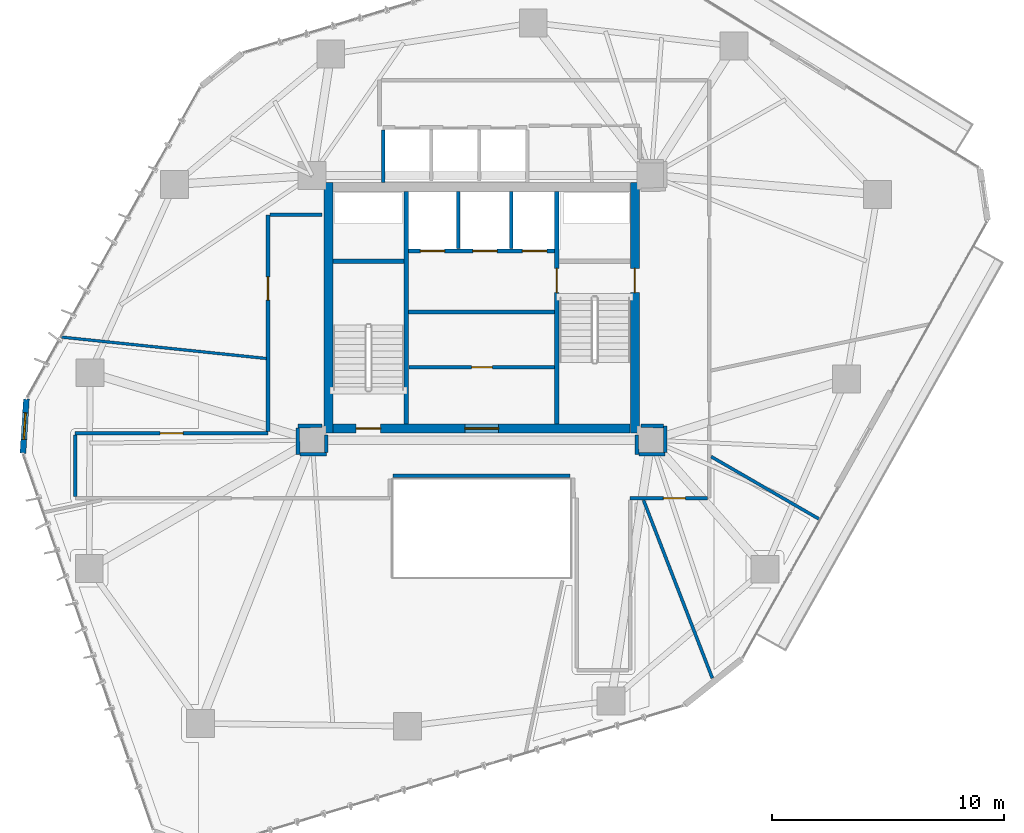
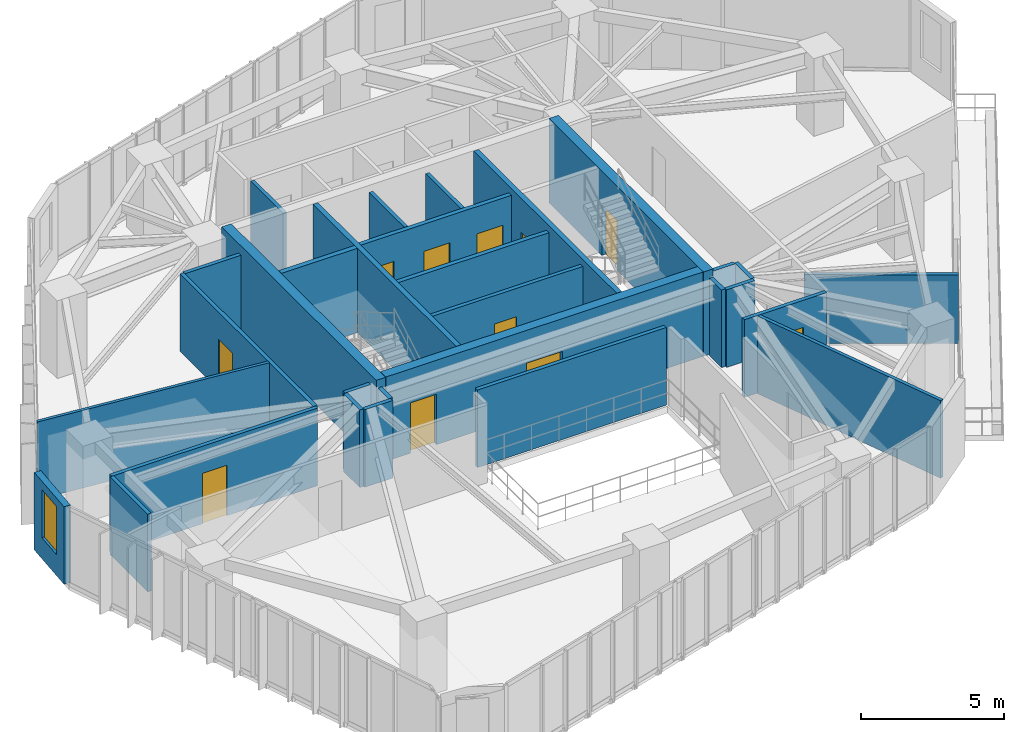
# One storey, part 16 of 21: 30 walls, 11 doors, 1 window, 12 openings.
"""IFC4 building model written with IfcOpenShell, lengths in metres."""

from ifc_helpers import new_model, si_unit, direction, frame, frame_2d, origin, place, context, subcontext, project, spatial, rectangle, extrude, source, transform, mapped, material, layer, layer_set, type_object, type_shapes, element, fill, save


model = new_model("IFC4")

# Units and contexts
model_context = context("Model", 3, precision=1e-05, world=origin(), true_north=direction((0.0, 1.0)))
body_context = subcontext(model_context, "Body", "Model", "MODEL_VIEW")
ifc_project = project(units=[si_unit("LENGTHUNIT", "METRE"), si_unit("AREAUNIT", "SQUARE_METRE"), si_unit("VOLUMEUNIT", "CUBIC_METRE"), si_unit("PLANEANGLEUNIT", "RADIAN"), si_unit("MASSUNIT", "GRAM", prefix="KILO")], contexts=[model_context])

# Site, building, storey
site_placement = place(None, origin())
site = spatial("IfcSite", under=ifc_project, at=site_placement, CompositionType="ELEMENT")
building_placement = place(site_placement, origin())
building = spatial("IfcBuilding", under=site, at=building_placement, Name="Talar Marvaseh", CompositionType="ELEMENT")
storey_placement = place(building_placement, frame((0.0, 0.0, 139.800048828125)))
storey = spatial("IfcBuildingStorey", under=building, at=storey_placement, Name="L36", CompositionType="ELEMENT", Elevation=139.800048828125)

# Wall, opening, window
ifc_material_1 = material(Name="Precast concrete C45/55", Category="concrete")
ifc_layer_1 = layer(ifc_material_1, 0.2548828125)
ifc_layer_set_1 = layer_set([ifc_layer_1], Name="Precast concrete C45/55")
wall_type_1 = type_object("IfcWallType", Name="Chamfered Hexagonal Corner Pier Wall Z2 255", PredefinedType="SOLIDWALL", material=ifc_layer_set_1)
wall_1_placement = place(storey_placement, frame((6.247802734375, 24.939208984375, 0.0), z_axis=(0.0, 0.0, 1.0), x_axis=(0.063306764323, 0.997994115008, 0.0)))
wall_1 = element("IfcWall", 1, at=wall_1_placement, inside=storey, type_object=wall_type_1, Name="L36 Chamfered Corner Limestone Pier 2", PredefinedType="SOLIDWALL", context=body_context, shape_type="SweptSolid", body=[
    extrude(rectangle(XDim=2.3408203125, YDim=0.2548828125, at=frame_2d((1.17041015625, 0.0))), origin(), (0.0, 0.0, 1.0), 3.31005859375),
])
opening_1_placement = place(wall_1_placement, frame((0.594970703125, 0.0, 0.89990234375)))
opening_1 = element("IfcOpeningElement", 2, at=opening_1_placement, cuts=wall_1, Name="Opening WN-CHM11", PredefinedType="OPENING", context=body_context, shape_type="SweptSolid", body=[
    extrude(rectangle(XDim=1.14990234375, YDim=2.050048828125, at=frame_2d((0.574951171875, 1.02490234375))), frame((0.0, 0.137451171875, 0.0), z_axis=(0.0, -1.0, 0.0), x_axis=(1.0, 0.0, 0.0)), (0.0, 0.0, 1.0), 0.27490234375),
])
ifc_material_2 = material(Name="Laminated Low-E Solar Glass", Category="glass")
window_type = type_object("IfcWindowType", Name="Zone 2 Chamfered Corner Slot Window 1150x2050", PartitioningType="SINGLE_PANEL", PredefinedType="WINDOW", material=ifc_material_2)
shared_shape_1 = source(origin(), body_context, "Body", "SweptSolid", [
    extrude(rectangle(XDim=1.14990234375, YDim=2.050048828125, at=frame_2d((0.574951171875, 1.02490234375))), frame((0.0, 0.030029296875, 0.0), z_axis=(0.0, -1.0, 0.0), x_axis=(1.0, 0.0, 0.0)), (0.0, 0.0, 1.0), 0.06005859375),
])
type_shapes(window_type, [shared_shape_1])
window_placement = place(opening_1_placement, origin())
window = element("IfcWindow", 3, at=window_placement, inside=storey, type_object=window_type, Name="L36 Chamfered Corner Slot Window", OverallHeight=2.050048828125, OverallWidth=1.14990234375, PartitioningType="SINGLE_PANEL", PredefinedType="WINDOW", context=body_context, shape_type="MappedRepresentation", body=[
    mapped(shared_shape_1, transform((0.0, 0.0, 0.0), x_axis=(1.0, 0.0, 0.0), y_axis=(0.0, 1.0, 0.0), z_axis=(0.0, 0.0, 1.0), scale=1.0)),
])
fill(opening_1, window)

# Wall, opening, door
ifc_material_3 = material(Name="Gypsum Board Partition Assembly")
ifc_layer_2 = layer(ifc_material_3, 0.155029296875)
ifc_layer_set_2 = layer_set([ifc_layer_2], Name="Gypsum Board Partition Assembly")
wall_type_2 = type_object("IfcWallType", Name="Corridor Fire-Rated Acoustic Partition 155", PredefinedType="PARTITIONING", material=ifc_layer_set_2)
wall_2_placement = place(storey_placement, frame((22.865966796875, 28.639892578125, 0.0), z_axis=(0.0, 0.0, 1.0), x_axis=(1.0, 0.0, 0.0)))
wall_2 = element("IfcWall", 4, at=wall_2_placement, inside=storey, type_object=wall_type_2, Name="L36 Core BOH Partition", PredefinedType="PARTITIONING", context=body_context, shape_type="SweptSolid", body=[
    extrude(rectangle(XDim=6.26806640625, YDim=0.155029296875, at=frame_2d((3.134033203125, 0.0))), origin(), (0.0, 0.0, 1.0), 3.31005859375),
])
opening_2_placement = place(wall_2_placement, frame((2.699951171875, 0.0, 0.0)))
opening_2 = element("IfcOpeningElement", 5, at=opening_2_placement, cuts=wall_2, Name="Opening DR-BOH090", PredefinedType="OPENING", context=body_context, shape_type="SweptSolid", body=[
    extrude(rectangle(XDim=0.89990234375, YDim=2.10009765625, at=frame_2d((0.449951171875, 1.050048828125))), frame((0.0, 0.08740234375, 0.0), z_axis=(0.0, -1.0, 0.0), x_axis=(1.0, 0.0, 0.0)), (0.0, 0.0, 1.0), 0.175048828125),
])
ifc_material_4 = material(Name="Fire-Rated Steel Door Leaf", Category="steel")
door_type_1 = type_object("IfcDoorType", Name="Core Back-of-House Service Door 900x2100", OperationType="NOTDEFINED", PredefinedType="DOOR", material=ifc_material_4)
shared_shape_2 = source(origin(), body_context, "Body", "SweptSolid", [
    extrude(rectangle(XDim=0.89990234375, YDim=2.10009765625, at=frame_2d((0.449951171875, 1.050048828125))), frame((0.0, 0.02490234375, 0.0), z_axis=(0.0, -1.0, 0.0), x_axis=(1.0, 0.0, 0.0)), (0.0, 0.0, 1.0), 0.050048828125),
])
type_shapes(door_type_1, [shared_shape_2])
door_1_placement = place(opening_2_placement, origin())
door_1 = element("IfcDoor", 6, at=door_1_placement, inside=storey, type_object=door_type_1, Name="L36 Store Core Central Archive Door", OperationType="SINGLE_SWING_LEFT", OverallHeight=2.10009765625, OverallWidth=0.89990234375, PredefinedType="DOOR", context=body_context, shape_type="MappedRepresentation", body=[
    mapped(shared_shape_2, transform((0.0, 0.0, 0.0), x_axis=(1.0, 0.0, 0.0), y_axis=(0.0, 1.0, 0.0), z_axis=(0.0, 0.0, 1.0), scale=1.0)),
])
fill(opening_2, door_1)

wall_3_placement = place(storey_placement, frame((8.5, 25.800048828125, 0.0), z_axis=(0.0, 0.0, 1.0), x_axis=(1.0, 0.0, 0.0)))
wall_3 = element("IfcWall", 7, at=wall_3_placement, inside=storey, type_object=wall_type_2, Name="L36 Interior Partition Wall", PredefinedType="PARTITIONING", context=body_context, shape_type="SweptSolid", body=[
    extrude(rectangle(XDim=8.300048828125, YDim=0.155029296875, at=frame_2d((4.14990234375, 0.0))), origin(), (0.0, 0.0, 1.0), 3.31005859375),
])
opening_3_placement = place(wall_3_placement, frame((3.64990234375, 0.0, 0.0)))
opening_3 = element("IfcOpeningElement", 8, at=opening_3_placement, cuts=wall_3, Name="Opening DR-RM100", PredefinedType="OPENING", context=body_context, shape_type="SweptSolid", body=[
    extrude(rectangle(XDim=1.0, YDim=2.14990234375, at=frame_2d((0.5, 1.074951171875))), frame((0.0, 0.08740234375, 0.0), z_axis=(0.0, -1.0, 0.0), x_axis=(1.0, 0.0, 0.0)), (0.0, 0.0, 1.0), 0.175048828125),
])
ifc_material_5 = material(Name="Acoustic Engineered Oak Timber", Category="wood")
door_type_2 = type_object("IfcDoorType", Name="Corridor Fire-Rated Gallery Door 1000x2150", OperationType="NOTDEFINED", PredefinedType="DOOR", material=ifc_material_5)
shared_shape_3 = source(origin(), body_context, "Body", "SweptSolid", [
    extrude(rectangle(XDim=1.0, YDim=2.14990234375, at=frame_2d((0.5, 1.074951171875))), frame((0.0, 0.02490234375, 0.0), z_axis=(0.0, -1.0, 0.0), x_axis=(1.0, 0.0, 0.0)), (0.0, 0.0, 1.0), 0.050048828125),
])
type_shapes(door_type_2, [shared_shape_3])
door_2_placement = place(opening_3_placement, origin())
door_2 = element("IfcDoor", 9, at=door_2_placement, inside=storey, type_object=door_type_2, Name="L36 Curatorial Office Door", OperationType="SINGLE_SWING_LEFT", OverallHeight=2.14990234375, OverallWidth=1.0, PredefinedType="DOOR", context=body_context, shape_type="MappedRepresentation", body=[
    mapped(shared_shape_3, transform((0.0, 0.0, 0.0), x_axis=(1.0, 0.0, 0.0), y_axis=(0.0, 1.0, 0.0), z_axis=(0.0, 0.0, 1.0), scale=1.0)),
])
fill(opening_3, door_2)

wall_4_placement = place(storey_placement, frame((16.800048828125, 25.883544921875, 0.0), z_axis=(0.0, 0.0, 1.0), x_axis=(0.0, 1.0, 0.0)))
wall_4 = element("IfcWall", 10, at=wall_4_placement, inside=storey, type_object=wall_type_2, Name="L36 Interior Partition Wall", PredefinedType="PARTITIONING", context=body_context, shape_type="SweptSolid", body=[
    extrude(rectangle(XDim=9.31640625, YDim=0.155029296875, at=frame_2d((4.658203125, 0.0))), origin(), (0.0, 0.0, 1.0), 3.31005859375),
])
opening_4_placement = place(wall_4_placement, frame((5.649169921875, 0.0, 0.0)))
opening_4 = element("IfcOpeningElement", 11, at=opening_4_placement, cuts=wall_4, Name="Opening DR-RM100", PredefinedType="OPENING", context=body_context, shape_type="SweptSolid", body=[
    extrude(rectangle(XDim=1.0, YDim=2.14990234375, at=frame_2d((0.5, 1.074951171875))), frame((0.0, 0.08740234375, 0.0), z_axis=(0.0, -1.0, 0.0), x_axis=(1.0, 0.0, 0.0)), (0.0, 0.0, 1.0), 0.175048828125),
])
door_3_placement = place(opening_4_placement, origin())
door_3 = element("IfcDoor", 12, at=door_3_placement, inside=storey, type_object=door_type_2, Name="L36 Conservation Laboratory Door", OperationType="SINGLE_SWING_LEFT", OverallHeight=2.14990234375, OverallWidth=1.0, PredefinedType="DOOR", context=body_context, shape_type="MappedRepresentation", body=[
    mapped(shared_shape_3, transform((0.0, 0.0, 0.0), x_axis=(1.0, 0.0, 0.0), y_axis=(0.0, 1.0, 0.0), z_axis=(0.0, 0.0, 1.0), scale=1.0)),
])
fill(opening_4, door_3)

wall_5_placement = place(storey_placement, frame((35.716552734375, 23.0, 0.0), z_axis=(0.0, 0.0, 1.0), x_axis=(-1.0, 0.0, 0.0)))
wall_5 = element("IfcWall", 13, at=wall_5_placement, inside=storey, type_object=wall_type_2, Name="L36 Interior Partition Wall", PredefinedType="PARTITIONING", context=body_context, shape_type="SweptSolid", body=[
    extrude(rectangle(XDim=3.316650390625, YDim=0.155029296875, at=frame_2d((1.658203125, 0.0))), origin(), (0.0, 0.0, 1.0), 3.31005859375),
])
opening_5_placement = place(wall_5_placement, frame((0.9404296875, 0.0, 0.0)))
opening_5 = element("IfcOpeningElement", 14, at=opening_5_placement, cuts=wall_5, Name="Opening DR-WC095", PredefinedType="OPENING", context=body_context, shape_type="SweptSolid", body=[
    extrude(rectangle(XDim=0.949951171875, YDim=2.14990234375, at=frame_2d((0.47509765625, 1.074951171875))), frame((0.0, 0.08740234375, 0.0), z_axis=(0.0, -1.0, 0.0), x_axis=(1.0, 0.0, 0.0)), (0.0, 0.0, 1.0), 0.175048828125),
])
door_type_3 = type_object("IfcDoorType", Name="Washroom and Service Room Door 950x2150", OperationType="NOTDEFINED", PredefinedType="DOOR", material=ifc_material_5)
shared_shape_4 = source(origin(), body_context, "Body", "SweptSolid", [
    extrude(rectangle(XDim=0.949951171875, YDim=2.14990234375, at=frame_2d((0.47509765625, 1.074951171875))), frame((0.0, 0.02490234375, 0.0), z_axis=(0.0, -1.0, 0.0), x_axis=(1.0, 0.0, 0.0)), (0.0, 0.0, 1.0), 0.050048828125),
])
type_shapes(door_type_3, [shared_shape_4])
door_4_placement = place(opening_5_placement, origin())
door_4 = element("IfcDoor", 15, at=door_4_placement, inside=storey, type_object=door_type_3, Name="L36 Collection Conservation Store Door", OperationType="SINGLE_SWING_RIGHT", OverallHeight=2.14990234375, OverallWidth=0.949951171875, PredefinedType="DOOR", context=body_context, shape_type="MappedRepresentation", body=[
    mapped(shared_shape_4, transform((0.0, 0.0, 0.0), x_axis=(1.0, 0.0, 0.0), y_axis=(0.0, 1.0, 0.0), z_axis=(0.0, 0.0, 1.0), scale=1.0)),
])
fill(opening_5, door_4)

# Walls
wall_6_placement = place(storey_placement, frame((29.800048828125, 23.9599609375, 0.0), z_axis=(0.0, 0.0, 1.0), x_axis=(-0.999999995375, -9.617234e-05, 0.0)))
element("IfcWall", 16, at=wall_6_placement, inside=storey, type_object=wall_type_2, Name="L36 Interior Partition Wall", PredefinedType="PARTITIONING", context=body_context, shape_type="SweptSolid", body=[
    extrude(rectangle(XDim=7.61572265625, YDim=0.155029296875, at=frame_2d((3.807861328125, 0.0))), origin(), (0.0, 0.0, 1.0), 3.31005859375),
])
wall_7_placement = place(storey_placement, frame((8.5, 23.08349609375, 0.0), z_axis=(0.0, 0.0, 1.0), x_axis=(0.0, 1.0, 0.0)))
element("IfcWall", 17, at=wall_7_placement, inside=storey, type_object=wall_type_2, Name="L36 Interior Partition Wall", PredefinedType="PARTITIONING", context=body_context, shape_type="SweptSolid", body=[
    extrude(rectangle(XDim=2.633056640625, YDim=0.155029296875, at=frame_2d((1.31640625, 0.0))), origin(), (0.0, 0.0, 1.0), 3.31005859375),
])
wall_8_placement = place(storey_placement, frame((16.883544921875, 35.199951171875, 0.0), z_axis=(0.0, 0.0, 1.0), x_axis=(1.0, 0.0, 0.0)))
element("IfcWall", 18, at=wall_8_placement, inside=storey, type_object=wall_type_2, Name="L36 Interior Partition Wall", PredefinedType="PARTITIONING", context=body_context, shape_type="SweptSolid", body=[
    extrude(rectangle(XDim=2.246337890625, YDim=0.155029296875, at=frame_2d((1.123046875, 0.0))), origin(), (0.0, 0.0, 1.0), 3.31005859375),
])
wall_9_placement = place(storey_placement, frame((19.1298828125, 26.114990234375, 0.0), z_axis=(0.0, 0.0, 1.0), x_axis=(-0.999986702653, -0.005156987215, 0.0)))
element("IfcWall", 19, at=wall_9_placement, inside=storey, type_object=wall_type_2, Name="L36 Interior Partition Wall", PredefinedType="PARTITIONING", context=body_context, shape_type="SweptSolid", body=[
    extrude(rectangle(XDim=1.04150390625, YDim=0.155029296875, at=frame_2d((0.520751953125, 0.0))), origin(), (0.0, 0.0, 1.0), 3.31005859375),
])
wall_10_placement = place(storey_placement, frame((18.088623046875, 26.02587890625, 0.0), z_axis=(0.0, 0.0, 1.0), x_axis=(0.002787893948, -0.999996113816, 0.0)))
element("IfcWall", 20, at=wall_10_placement, inside=storey, type_object=wall_type_2, Name="L36 Interior Partition Wall", PredefinedType="PARTITIONING", context=body_context, shape_type="SweptSolid", body=[
    extrude(rectangle(XDim=1.138427734375, YDim=0.155029296875, at=frame_2d((0.5693359375, 0.0))), origin(), (0.0, 0.0, 1.0), 3.31005859375),
])
wall_11_placement = place(storey_placement, frame((18.17529296875, 24.8876953125, 0.0), z_axis=(0.0, 0.0, 1.0), x_axis=(0.999999791525, 0.000645716611, 0.0)))
element("IfcWall", 21, at=wall_11_placement, inside=storey, type_object=wall_type_2, Name="L36 Interior Partition Wall", PredefinedType="PARTITIONING", context=body_context, shape_type="SweptSolid", body=[
    extrude(rectangle(XDim=1.13427734375, YDim=0.155029296875, at=frame_2d((0.567138671875, 0.0))), origin(), (0.0, 0.0, 1.0), 3.31005859375),
])
wall_12_placement = place(storey_placement, frame((19.31005859375, 24.971923828125, 0.0), z_axis=(0.0, 0.0, 1.0), x_axis=(0.006441090216, 0.999979255963, 0.0)))
element("IfcWall", 22, at=wall_12_placement, inside=storey, type_object=wall_type_2, Name="L36 Interior Partition Wall", PredefinedType="PARTITIONING", context=body_context, shape_type="SweptSolid", body=[
    extrude(rectangle(XDim=0.758056640625, YDim=0.155029296875, at=frame_2d((0.37890625, 0.0))), origin(), (0.0, 0.0, 1.0), 3.31005859375),
])
wall_13_placement = place(storey_placement, frame((32.68505859375, 25.72998046875, 0.0), z_axis=(0.0, 0.0, 1.0), x_axis=(0.006382231486, -0.999979633353, 0.0)))
element("IfcWall", 23, at=wall_13_placement, inside=storey, type_object=wall_type_2, Name="L36 Interior Partition Wall", PredefinedType="PARTITIONING", context=body_context, shape_type="SweptSolid", body=[
    extrude(rectangle(XDim=0.841552734375, YDim=0.155029296875, at=frame_2d((0.4208984375, 0.0))), origin(), (0.0, 0.0, 1.0), 3.31005859375),
])
wall_14_placement = place(storey_placement, frame((32.77392578125, 24.88818359375, 0.0), z_axis=(0.0, 0.0, 1.0), x_axis=(0.999999164303, -0.001292823742, 0.0)))
element("IfcWall", 24, at=wall_14_placement, inside=storey, type_object=wall_type_2, Name="L36 Interior Partition Wall", PredefinedType="PARTITIONING", context=body_context, shape_type="SweptSolid", body=[
    extrude(rectangle(XDim=1.133056640625, YDim=0.155029296875, at=frame_2d((0.56640625, 0.0))), origin(), (0.0, 0.0, 1.0), 3.31005859375),
])
wall_15_placement = place(storey_placement, frame((33.907470703125, 24.97021484375, 0.0), z_axis=(0.0, 0.0, 1.0), x_axis=(0.003642572792, 0.99999336581, 0.0)))
element("IfcWall", 25, at=wall_15_placement, inside=storey, type_object=wall_type_2, Name="L36 Interior Partition Wall", PredefinedType="PARTITIONING", context=body_context, shape_type="SweptSolid", body=[
    extrude(rectangle(XDim=1.139404296875, YDim=0.155029296875, at=frame_2d((0.56982421875, 0.0))), origin(), (0.0, 0.0, 1.0), 3.31005859375),
])
wall_16_placement = place(storey_placement, frame((33.828125, 26.110107421875, 0.0), z_axis=(0.0, 0.0, 1.0), x_axis=(-0.999987011364, 0.005096773758, 0.0)))
element("IfcWall", 26, at=wall_16_placement, inside=storey, type_object=wall_type_2, Name="L36 Interior Partition Wall", PredefinedType="PARTITIONING", context=body_context, shape_type="SweptSolid", body=[
    extrude(rectangle(XDim=0.9580078125, YDim=0.155029296875, at=frame_2d((0.47900390625, 0.0))), origin(), (0.0, 0.0, 1.0), 3.31005859375),
])
ifc_layer_3 = layer(ifc_material_3, 0.1201171875)
ifc_layer_set_3 = layer_set([ifc_layer_3], Name="Gypsum Board Partition Assembly")
wall_type_3 = type_object("IfcWallType", Name="Demountable Studio Room Partition 120", PredefinedType="PARTITIONING", material=ifc_layer_set_3)
wall_17_placement = place(storey_placement, frame((7.9033203125, 29.939453125, 0.0), z_axis=(0.0, 0.0, 1.0), x_axis=(0.994588146668, -0.103896191018, 0.0)))
element("IfcWall", 27, at=wall_17_placement, inside=storey, type_object=wall_type_3, Name="L36 Interior Partition Wall", PredefinedType="PARTITIONING", context=body_context, shape_type="SweptSolid", body=[
    extrude(rectangle(XDim=8.880126953125, YDim=0.1201171875, at=frame_2d((4.43994140625, 0.0))), origin(), (0.0, 0.0, 1.0), 3.31005859375),
])
ifc_layer_4 = layer(ifc_material_1, 0.14501953125)
ifc_layer_set_4 = layer_set([ifc_layer_4], Name="Precast concrete C45/55")
wall_type_4 = type_object("IfcWallType", Name="Fire-Rated Lift Divider Wall 145", PredefinedType="SOLIDWALL", material=ifc_layer_set_4)
for number, where, z_axis, x_axis, name in (
    (28, (25.0, 33.743408203125, 0.0), (0.0, 0.0, 1.0), (0.0, 1.0, 0.0), "L36 FFL-1/FFL-2 Divider"),
    (29, (27.280029296875, 33.743408203125, 0.0), (0.0, 0.0, 1.0), (0.0, 1.0, 0.0), "L36 FFL-2/SVL-1 Divider"),
):
    element("IfcWall", number, at=place(storey_placement, frame(where, z_axis=z_axis, x_axis=x_axis)), inside=storey, type_object=wall_type_4, Name=name, PredefinedType="SOLIDWALL", context=body_context, shape_type="SweptSolid", body=[
        extrude(rectangle(XDim=2.45654296875, YDim=0.14501953125, at=frame_2d((1.228271484375, 0.0))), origin(), (0.0, 0.0, 1.0), 3.31005859375),
    ])
wall_18_placement = place(storey_placement, frame((21.760009765625, 36.60009765625, 0.0), z_axis=(0.0, 0.0, 1.0), x_axis=(0.0, 1.0, 0.0)))
element("IfcWall", 30, at=wall_18_placement, inside=storey, type_object=wall_type_4, Name="L36 Low-Rise Bank West Wall", PredefinedType="SOLIDWALL", context=body_context, shape_type="SweptSolid", body=[
    extrude(rectangle(XDim=2.266357421875, YDim=0.14501953125, at=frame_2d((1.13330078125, 0.0))), origin(), (0.0, 0.0, 1.0), 3.31005859375),
])

# Wall, openings, doors
ifc_layer_5 = layer(ifc_material_1, 0.175048828125)
ifc_layer_set_5 = layer_set([ifc_layer_5], Name="Precast concrete C45/55")
wall_type_5 = type_object("IfcWallType", Name="Fire-Rated Lift Hoistway Enclosure Wall 175", PredefinedType="SOLIDWALL", material=ifc_layer_set_5)
wall_19_placement = place(storey_placement, frame((22.860107421875, 33.64990234375, 0.0), z_axis=(0.0, 0.0, 1.0), x_axis=(1.0, 0.0, 0.0)))
wall_19 = element("IfcWall", 31, at=wall_19_placement, inside=storey, type_object=wall_type_5, Name="L36 Firefighting and Service Lift Front Wall", PredefinedType="SOLIDWALL", context=body_context, shape_type="SweptSolid", body=[
    extrude(rectangle(XDim=6.27978515625, YDim=0.175048828125, at=frame_2d((3.139892578125, 0.0))), origin(), (0.0, 0.0, 1.0), 3.31005859375),
])
opening_6_placement = place(wall_19_placement, frame((0.5, 0.0, 0.0)))
opening_6 = element("IfcOpeningElement", 32, at=opening_6_placement, cuts=wall_19, Name="Opening LD-FF1", PredefinedType="OPENING", context=body_context, shape_type="SweptSolid", body=[
    extrude(rectangle(XDim=1.050048828125, YDim=2.14990234375, at=frame_2d((0.52490234375, 1.074951171875))), frame((0.0, 0.09765625, 0.0), z_axis=(0.0, -1.0, 0.0), x_axis=(1.0, 0.0, 0.0)), (0.0, 0.0, 1.0), 0.195068359375),
])
opening_7_placement = place(wall_19_placement, frame((2.760009765625, 0.0, 0.0)))
opening_7 = element("IfcOpeningElement", 33, at=opening_7_placement, cuts=wall_19, Name="Opening LD-FF2", PredefinedType="OPENING", context=body_context, shape_type="SweptSolid", body=[
    extrude(rectangle(XDim=1.050048828125, YDim=2.14990234375, at=frame_2d((0.52490234375, 1.074951171875))), frame((0.0, 0.09765625, 0.0), z_axis=(0.0, -1.0, 0.0), x_axis=(1.0, 0.0, 0.0)), (0.0, 0.0, 1.0), 0.195068359375),
])
opening_8_placement = place(wall_19_placement, frame((4.89990234375, 0.0, 0.0)))
opening_8 = element("IfcOpeningElement", 34, at=opening_8_placement, cuts=wall_19, Name="Opening LD-SV1", PredefinedType="OPENING", context=body_context, shape_type="SweptSolid", body=[
    extrude(rectangle(XDim=1.050048828125, YDim=2.14990234375, at=frame_2d((0.52490234375, 1.074951171875))), frame((0.0, 0.09765625, 0.0), z_axis=(0.0, -1.0, 0.0), x_axis=(1.0, 0.0, 0.0)), (0.0, 0.0, 1.0), 0.195068359375),
])
ifc_material_6 = material(Name="Stainless Steel Grade 316", Category="steel")
door_type_4 = type_object("IfcDoorType", Name="Automatic Sliding Lift Landing Door 1050x2150", OperationType="NOTDEFINED", PredefinedType="DOOR", material=ifc_material_6)
shared_shape_5 = source(origin(), body_context, "Body", "SweptSolid", [
    extrude(rectangle(XDim=1.050048828125, YDim=2.14990234375, at=frame_2d((0.52490234375, 1.074951171875))), frame((0.0, 0.02490234375, 0.0), z_axis=(0.0, -1.0, 0.0), x_axis=(1.0, 0.0, 0.0)), (0.0, 0.0, 1.0), 0.050048828125),
])
type_shapes(door_type_4, [shared_shape_5])
door_5_placement = place(opening_6_placement, origin())
door_5 = element("IfcDoor", 35, at=door_5_placement, inside=storey, type_object=door_type_4, Name="L36 Lift FFL-1 Sliding Landing Door", OperationType="SLIDING_TO_LEFT", OverallHeight=2.14990234375, OverallWidth=1.050048828125, PredefinedType="DOOR", context=body_context, shape_type="MappedRepresentation", body=[
    mapped(shared_shape_5, transform((0.0, 0.0, 0.0), x_axis=(1.0, 0.0, 0.0), y_axis=(0.0, 1.0, 0.0), z_axis=(0.0, 0.0, 1.0), scale=1.0)),
])
fill(opening_6, door_5)
door_6_placement = place(opening_7_placement, origin())
door_6 = element("IfcDoor", 36, at=door_6_placement, inside=storey, type_object=door_type_4, Name="L36 Lift FFL-2 Sliding Landing Door", OperationType="SLIDING_TO_LEFT", OverallHeight=2.14990234375, OverallWidth=1.050048828125, PredefinedType="DOOR", context=body_context, shape_type="MappedRepresentation", body=[
    mapped(shared_shape_5, transform((0.0, 0.0, 0.0), x_axis=(1.0, 0.0, 0.0), y_axis=(0.0, 1.0, 0.0), z_axis=(0.0, 0.0, 1.0), scale=1.0)),
])
fill(opening_7, door_6)
door_7_placement = place(opening_8_placement, origin())
door_7 = element("IfcDoor", 37, at=door_7_placement, inside=storey, type_object=door_type_4, Name="L36 Lift SVL-1 Sliding Landing Door", OperationType="SLIDING_TO_LEFT", OverallHeight=2.14990234375, OverallWidth=1.050048828125, PredefinedType="DOOR", context=body_context, shape_type="MappedRepresentation", body=[
    mapped(shared_shape_5, transform((0.0, 0.0, 0.0), x_axis=(1.0, 0.0, 0.0), y_axis=(0.0, 1.0, 0.0), z_axis=(0.0, 0.0, 1.0), scale=1.0)),
])
fill(opening_8, door_7)

# Walls
wall_20_placement = place(storey_placement, frame((22.860107421875, 31.02001953125, 0.0), z_axis=(0.0, 0.0, 1.0), x_axis=(1.0, 0.0, 0.0)))
element("IfcWall", 38, at=wall_20_placement, inside=storey, type_object=wall_type_5, Name="L36 Firefighting Lobby South Smoke Wall", PredefinedType="SOLIDWALL", context=body_context, shape_type="SweptSolid", body=[
    extrude(rectangle(XDim=6.27978515625, YDim=0.175048828125, at=frame_2d((3.139892578125, 0.0))), origin(), (0.0, 0.0, 1.0), 3.31005859375),
])
ifc_layer_6 = layer(ifc_material_3, 0.135009765625)
ifc_layer_set_6 = layer_set([ifc_layer_6], Name="Gypsum Board Partition Assembly")
wall_type_6 = type_object("IfcWallType", Name="Gallery High-Acoustic Partition 135", PredefinedType="PARTITIONING", material=ifc_layer_set_6)
wall_21_placement = place(storey_placement, frame((32.972412109375, 22.91650390625, 0.0), z_axis=(0.0, 0.0, 1.0), x_axis=(0.360519734674, -0.932751585853, 0.0)))
element("IfcWall", 39, at=wall_21_placement, inside=storey, type_object=wall_type_6, Name="L36 Interior Partition Wall", PredefinedType="PARTITIONING", context=body_context, shape_type="SweptSolid", body=[
    extrude(rectangle(XDim=8.21630859375, YDim=0.135009765625, at=frame_2d((4.108154296875, 0.0))), origin(), (0.0, 0.0, 1.0), 3.31005859375),
])
wall_22_placement = place(storey_placement, frame((35.883544921875, 24.791748046875, 0.0), z_axis=(0.0, 0.0, 1.0), x_axis=(0.865681218775, -0.500595672635, 0.0)))
element("IfcWall", 40, at=wall_22_placement, inside=storey, type_object=wall_type_6, Name="L36 Interior Partition Wall", PredefinedType="PARTITIONING", context=body_context, shape_type="SweptSolid", body=[
    extrude(rectangle(XDim=5.39599609375, YDim=0.135009765625, at=frame_2d((2.697998046875, 0.0))), origin(), (0.0, 0.0, 1.0), 2.927001953125),
])
ifc_material_7 = material(Name="Concrete C60/75", Category="concrete")
ifc_layer_7 = layer(ifc_material_7, 0.3798828125)
ifc_layer_set_7 = layer_set([ifc_layer_7], Name="Concrete C60/75")
wall_type_7 = type_object("IfcWallType", Name="Mid Core Reinforced Concrete Shear Wall 380", PredefinedType="SHEAR", material=ifc_layer_set_7)
wall_23_placement = place(storey_placement, frame((19.39990234375, 25.800048828125, 0.0), z_axis=(0.0, 0.0, 1.0), x_axis=(0.0, 1.0, 0.0)))
element("IfcWall", 41, at=wall_23_placement, inside=storey, type_object=wall_type_7, Name="L36 West Core Shear Wall", PredefinedType="SHEAR", context=body_context, shape_type="SweptSolid", body=[
    extrude(rectangle(XDim=10.800048828125, YDim=0.3798828125, at=frame_2d((5.39990234375, 0.0))), origin(), (0.0, 0.0, 1.0), 3.599853515625),
])

# Wall, opening, door
wall_24_placement = place(storey_placement, frame((32.60009765625, 36.60009765625, 0.0), z_axis=(0.0, 0.0, 1.0), x_axis=(0.0, -1.0, 0.0)))
wall_24 = element("IfcWall", 42, at=wall_24_placement, inside=storey, type_object=wall_type_7, Name="L36 East Core Shear Wall", PredefinedType="SHEAR", context=body_context, shape_type="SweptSolid", body=[
    extrude(rectangle(XDim=10.800048828125, YDim=0.3798828125, at=frame_2d((5.39990234375, 0.0))), origin(), (0.0, 0.0, 1.0), 3.599853515625),
])
opening_9_placement = place(wall_24_placement, frame((3.699951171875, 0.0, 0.0)))
opening_9 = element("IfcOpeningElement", 43, at=opening_9_placement, cuts=wall_24, Name="Opening DR-ST105", PredefinedType="OPENING", context=body_context, shape_type="SweptSolid", body=[
    extrude(rectangle(XDim=1.050048828125, YDim=2.14990234375, at=frame_2d((0.52490234375, 1.074951171875))), frame((0.0, 0.199951171875, 0.0), z_axis=(0.0, -1.0, 0.0), x_axis=(1.0, 0.0, 0.0)), (0.0, 0.0, 1.0), 0.39990234375),
])
door_type_5 = type_object("IfcDoorType", Name="Protected Exit Stair Fire Door 1050x2150", OperationType="NOTDEFINED", PredefinedType="DOOR", material=ifc_material_4)
shared_shape_6 = source(origin(), body_context, "Body", "SweptSolid", [
    extrude(rectangle(XDim=1.050048828125, YDim=2.14990234375, at=frame_2d((0.52490234375, 1.074951171875))), frame((0.0, 0.02490234375, 0.0), z_axis=(0.0, -1.0, 0.0), x_axis=(1.0, 0.0, 0.0)), (0.0, 0.0, 1.0), 0.050048828125),
])
type_shapes(door_type_5, [shared_shape_6])
door_8_placement = place(opening_9_placement, origin())
door_8 = element("IfcDoor", 44, at=door_8_placement, inside=storey, type_object=door_type_5, Name="L36 Stair ST-2 Corridor Exit Door", OperationType="SINGLE_SWING_LEFT", OverallHeight=2.14990234375, OverallWidth=1.050048828125, PredefinedType="DOOR", context=body_context, shape_type="MappedRepresentation", body=[
    mapped(shared_shape_6, transform((0.0, 0.0, 0.0), x_axis=(1.0, 0.0, 0.0), y_axis=(0.0, 1.0, 0.0), z_axis=(0.0, 0.0, 1.0), scale=1.0)),
])
fill(opening_9, door_8)

# Wall, openings, doors
wall_25_placement = place(storey_placement, frame((32.39990234375, 26.0, 0.0), z_axis=(0.0, 0.0, 1.0), x_axis=(-1.0, 0.0, 0.0)))
wall_25 = element("IfcWall", 45, at=wall_25_placement, inside=storey, type_object=wall_type_7, Name="L36 South Core Shear Wall", PredefinedType="SHEAR", context=body_context, shape_type="SweptSolid", body=[
    extrude(rectangle(XDim=12.7998046875, YDim=0.3798828125, at=frame_2d((6.39990234375, 0.0))), origin(), (0.0, 0.0, 1.0), 3.599853515625),
])
opening_10_placement = place(wall_25_placement, frame((10.75, 0.0, 0.0)))
opening_10 = element("IfcOpeningElement", 46, at=opening_10_placement, cuts=wall_25, Name="Opening DR-ST105", PredefinedType="OPENING", context=body_context, shape_type="SweptSolid", body=[
    extrude(rectangle(XDim=1.050048828125, YDim=2.14990234375, at=frame_2d((0.52490234375, 1.074951171875))), frame((0.0, 0.199951171875, 0.0), z_axis=(0.0, -1.0, 0.0), x_axis=(1.0, 0.0, 0.0)), (0.0, 0.0, 1.0), 0.39990234375),
])
opening_11_placement = place(wall_25_placement, frame((5.669921875, 0.0, 0.0)))
opening_11 = element("IfcOpeningElement", 47, at=opening_11_placement, cuts=wall_25, Name="Opening DR-LBY145", PredefinedType="OPENING", context=body_context, shape_type="SweptSolid", body=[
    extrude(rectangle(XDim=1.449951171875, YDim=2.199951171875, at=frame_2d((0.72509765625, 1.10009765625))), frame((0.0, 0.199951171875, 0.0), z_axis=(0.0, -1.0, 0.0), x_axis=(1.0, 0.0, 0.0)), (0.0, 0.0, 1.0), 0.39990234375),
])
door_9_placement = place(opening_10_placement, origin())
door_9 = element("IfcDoor", 48, at=door_9_placement, inside=storey, type_object=door_type_5, Name="L36 Stair ST-1 Exit Door", OperationType="SINGLE_SWING_RIGHT", OverallHeight=2.14990234375, OverallWidth=1.050048828125, PredefinedType="DOOR", context=body_context, shape_type="MappedRepresentation", body=[
    mapped(shared_shape_6, transform((0.0, 0.0, 0.0), x_axis=(1.0, 0.0, 0.0), y_axis=(0.0, 1.0, 0.0), z_axis=(0.0, 0.0, 1.0), scale=1.0)),
])
fill(opening_10, door_9)
door_type_6 = type_object("IfcDoorType", Name="Core Lift Lobby Double Smoke Door 1450x2200", OperationType="NOTDEFINED", PredefinedType="DOOR", material=ifc_material_4)
shared_shape_7 = source(origin(), body_context, "Body", "SweptSolid", [
    extrude(rectangle(XDim=1.449951171875, YDim=2.199951171875, at=frame_2d((0.72509765625, 1.10009765625))), frame((0.0, 0.02490234375, 0.0), z_axis=(0.0, -1.0, 0.0), x_axis=(1.0, 0.0, 0.0)), (0.0, 0.0, 1.0), 0.050048828125),
])
type_shapes(door_type_6, [shared_shape_7])
door_10_placement = place(opening_11_placement, origin())
door_10 = element("IfcDoor", 49, at=door_10_placement, inside=storey, type_object=door_type_6, Name="L36 Passenger Lift Lobby Entrance Door", OperationType="DOUBLE_DOOR_SINGLE_SWING", OverallHeight=2.199951171875, OverallWidth=1.449951171875, PredefinedType="DOOR", context=body_context, shape_type="MappedRepresentation", body=[
    mapped(shared_shape_7, transform((0.0, 0.0, 0.0), x_axis=(1.0, 0.0, 0.0), y_axis=(0.0, 1.0, 0.0), z_axis=(0.0, 0.0, 1.0), scale=1.0)),
])
fill(opening_11, door_10)

# Wall
ifc_material_8 = material(Name="Concrete C50/60", Category="concrete")
ifc_layer_8 = layer(ifc_material_8, 0.199951171875)
ifc_layer_set_8 = layer_set([ifc_layer_8], Name="Concrete C50/60")
wall_type_8 = type_object("IfcWallType", Name="Stair Shaft Structural Concrete Shear Wall 200", PredefinedType="SHEAR", material=ifc_layer_set_8)
wall_26_placement = place(storey_placement, frame((22.760009765625, 26.199951171875, 0.0), z_axis=(0.0, 0.0, 1.0), x_axis=(0.0, 1.0, 0.0)))
element("IfcWall", 50, at=wall_26_placement, inside=storey, type_object=wall_type_8, Name="L36 Core West Stair Shear Wall", PredefinedType="SHEAR", context=body_context, shape_type="SweptSolid", body=[
    extrude(rectangle(XDim=10.0, YDim=0.199951171875, at=frame_2d((5.0, 0.0))), origin(), (0.0, 0.0, 1.0), 3.599853515625),
])

# Wall, opening, door
wall_27_placement = place(storey_placement, frame((29.239990234375, 26.199951171875, 0.0), z_axis=(0.0, 0.0, 1.0), x_axis=(0.0, 1.0, 0.0)))
wall_27 = element("IfcWall", 51, at=wall_27_placement, inside=storey, type_object=wall_type_8, Name="L36 Core East Stair Shear Wall", PredefinedType="SHEAR", context=body_context, shape_type="SweptSolid", body=[
    extrude(rectangle(XDim=10.0, YDim=0.199951171875, at=frame_2d((5.0, 0.0))), origin(), (0.0, 0.0, 1.0), 3.599853515625),
])
opening_12_placement = place(wall_27_placement, frame((5.64990234375, 0.0, 0.0)))
opening_12 = element("IfcOpeningElement", 52, at=opening_12_placement, cuts=wall_27, Name="Opening DR-ST105", PredefinedType="OPENING", context=body_context, shape_type="SweptSolid", body=[
    extrude(rectangle(XDim=1.050048828125, YDim=2.14990234375, at=frame_2d((0.52490234375, 1.074951171875))), frame((0.0, 0.10986328125, 0.0), z_axis=(0.0, -1.0, 0.0), x_axis=(1.0, 0.0, 0.0)), (0.0, 0.0, 1.0), 0.219970703125),
])
door_11_placement = place(opening_12_placement, origin())
door_11 = element("IfcDoor", 53, at=door_11_placement, inside=storey, type_object=door_type_5, Name="L36 Firefighting Lobby to Stair ST-2 Door", OperationType="SINGLE_SWING_LEFT", OverallHeight=2.14990234375, OverallWidth=1.050048828125, PredefinedType="DOOR", context=body_context, shape_type="MappedRepresentation", body=[
    mapped(shared_shape_6, transform((0.0, 0.0, 0.0), x_axis=(1.0, 0.0, 0.0), y_axis=(0.0, 1.0, 0.0), z_axis=(0.0, 0.0, 1.0), scale=1.0)),
])
fill(opening_12, door_11)

# Wall
wall_28_placement = place(storey_placement, frame((19.60009765625, 33.199951171875, 0.0), z_axis=(0.0, 0.0, 1.0), x_axis=(1.0, 0.0, 0.0)))
element("IfcWall", 54, at=wall_28_placement, inside=storey, type_object=wall_type_8, Name="L36 Stair ST-1 North Shear Wall", PredefinedType="SHEAR", context=body_context, shape_type="SweptSolid", body=[
    extrude(rectangle(XDim=3.059814453125, YDim=0.199951171875, at=frame_2d((1.52978515625, 0.0))), origin(), (0.0, 0.0, 1.0), 3.599853515625),
])

save(model, "model.ifc")
